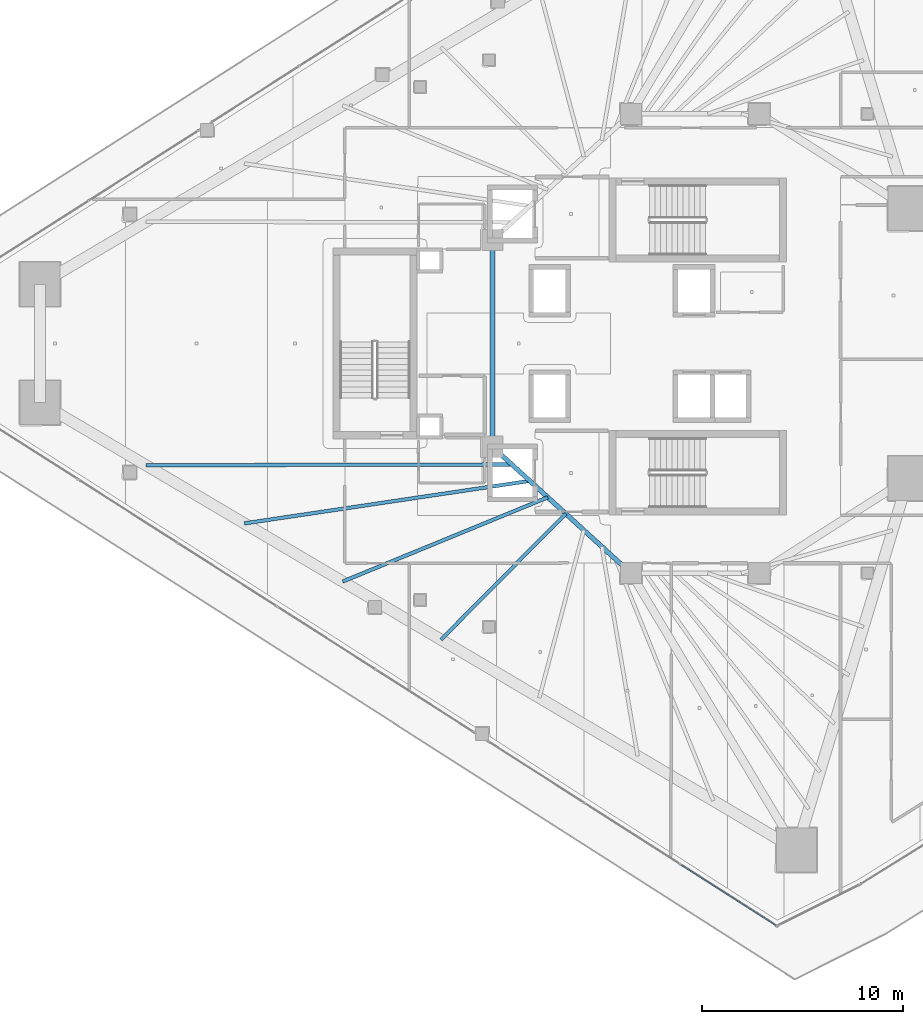
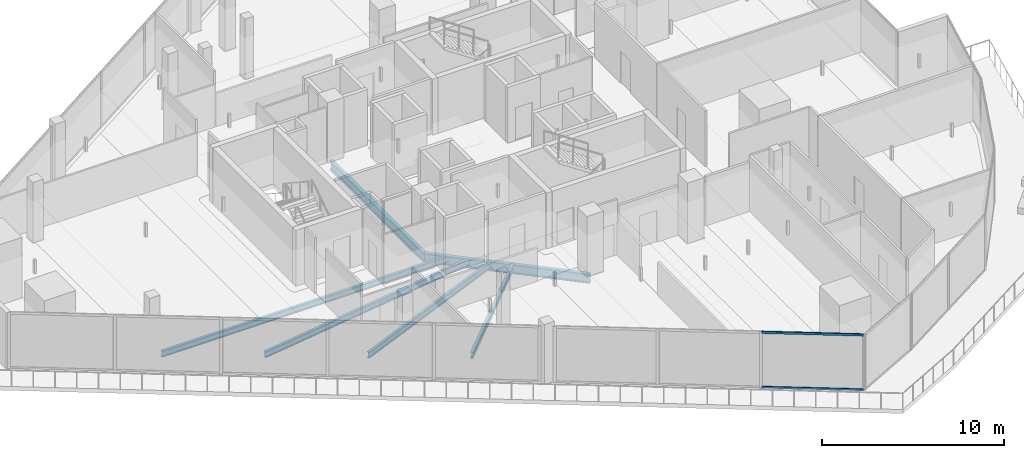
# One storey, part 6 of 36: 6 beams, 2 members, 1 element without a shape of its own.
"""IFC4 building model written with IfcOpenShell, lengths in metres."""

from ifc_helpers import new_model, si_unit, direction, frame, origin, origin_2d, place, context, subcontext, project, spatial, hollow_rectangle, i_section, extrude, material, layer, layer_set, material_profile, profile_set, type_object, element, aggregate, save


model = new_model("IFC4")

# Units and contexts
model_context = context("Model", 3, precision=1e-05, world=origin(), true_north=direction((0.0, 1.0)))
body_context = subcontext(model_context, "Body", "Model", "MODEL_VIEW")
ifc_project = project(units=[si_unit("LENGTHUNIT", "METRE"), si_unit("AREAUNIT", "SQUARE_METRE"), si_unit("VOLUMEUNIT", "CUBIC_METRE"), si_unit("PLANEANGLEUNIT", "RADIAN"), si_unit("MASSUNIT", "GRAM", prefix="KILO")], contexts=[model_context])

# Site, building, storey
site_placement = place(None, origin())
site = spatial("IfcSite", under=ifc_project, at=site_placement, CompositionType="ELEMENT")
building_placement = place(site_placement, origin())
building = spatial("IfcBuilding", under=site, at=building_placement, Name="Qorvath Tower", CompositionType="ELEMENT")
storey_placement = place(building_placement, frame((0.0, 0.0, 170.550048828125)))
storey = spatial("IfcBuildingStorey", under=building, at=storey_placement, Name="L39", CompositionType="ELEMENT", Elevation=170.550048828125)

# Beams
ifc_material_1 = material(Name="Steel ASTM A992 Grade 50", Category="steel")
ifc_material_profile_1 = material_profile(ifc_material_1, i_section(OverallWidth=0.22998046875, OverallDepth=0.616943359375, WebThickness=0.01318359375, FlangeThickness=0.022216796875, FilletRadius=0.014892578125, at=origin_2d()), Name="W24x94")
ifc_profile_set_1 = profile_set([ifc_material_profile_1], Name="Steel ASTM A992 Grade 50")
beam_type_1 = type_object("IfcBeamType", Name="BM-FG6", PredefinedType="BEAM", material=ifc_profile_set_1)
beam_1_placement = place(storey_placement, frame((-23.60009765625, -11.449951171875, -0.57861328125), z_axis=(-0.73847813985, 0.6742774184, 0.0), x_axis=(-0.6742774184, -0.73847813985, 0.0)))
element("IfcBeam", 1, at=beam_1_placement, inside=storey, type_object=beam_type_1, Name="Core Ring Girder CC4-CC6 L39", PredefinedType="BEAM", context=body_context, shape_type="SweptSolid", body=[
    extrude(i_section(OverallWidth=0.22998046875, OverallDepth=0.616943359375, WebThickness=0.01318359375, FlangeThickness=0.022216796875, FilletRadius=0.014892578125, at=origin_2d()), origin(), (0.0, 0.0, 1.0), 9.343505859375),
])
beam_2_placement = place(storey_placement, frame((-30.5, -5.14990234375, -0.57861328125), z_axis=(0.0, 1.0, 0.0), x_axis=(-1.0, 0.0, 0.0)))
element("IfcBeam", 2, at=beam_2_placement, inside=storey, type_object=beam_type_1, Name="Core Ring Girder CC6-CC5 L39", PredefinedType="BEAM", context=body_context, shape_type="SweptSolid", body=[
    extrude(i_section(OverallWidth=0.22998046875, OverallDepth=0.616943359375, WebThickness=0.01318359375, FlangeThickness=0.022216796875, FilletRadius=0.014892578125, at=origin_2d()), origin(), (0.0, 0.0, 1.0), 10.2998046875),
])
ifc_material_2 = material(Name="Steel ASTM A992 Grade 50", Category="steel")
ifc_material_profile_2 = material_profile(ifc_material_2, i_section(OverallWidth=0.177978515625, OverallDepth=0.406005859375, WebThickness=0.0078125, FlangeThickness=0.0126953125, FilletRadius=0.010986328125, at=origin_2d()), Name="W16x40")
ifc_profile_set_2 = profile_set([ifc_material_profile_2], Name="Steel ASTM A992 Grade 50")
beam_type_2 = type_object("IfcBeamType", Name="BM-FJ3", PredefinedType="JOIST", material=ifc_profile_set_2)
beam_3_placement = place(storey_placement, frame((-29.533935546875, -6.031982421875, -0.47314453125), z_axis=(-0.999997589883, -0.002195501951, 0.0), x_axis=(0.002195501951, -0.999997589883, 0.0)))
element("IfcBeam", 3, at=beam_3_placement, inside=storey, type_object=beam_type_2, Name="Composite Floor Joist SW1 L39", PredefinedType="JOIST", context=body_context, shape_type="SweptSolid", body=[
    extrude(i_section(OverallWidth=0.177978515625, OverallDepth=0.406005859375, WebThickness=0.0078125, FlangeThickness=0.0126953125, FilletRadius=0.010986328125, at=origin_2d()), origin(), (0.0, 0.0, 1.0), 18.23681640625),
])
beam_4_placement = place(storey_placement, frame((-28.636962890625, -6.85107421875, -0.47314453125), z_axis=(-0.989092860328, -0.147293291256, 0.0), x_axis=(0.147293291256, -0.989092860328, 0.0)))
element("IfcBeam", 4, at=beam_4_placement, inside=storey, type_object=beam_type_2, Name="Composite Floor Joist SW2 L39", PredefinedType="JOIST", context=body_context, shape_type="SweptSolid", body=[
    extrude(i_section(OverallWidth=0.177978515625, OverallDepth=0.406005859375, WebThickness=0.0078125, FlangeThickness=0.0126953125, FilletRadius=0.010986328125, at=origin_2d()), origin(), (0.0, 0.0, 1.0), 14.388916015625),
])
beam_5_placement = place(storey_placement, frame((-27.739990234375, -7.669921875, -0.47314453125), z_axis=(-0.925068176006, -0.379801092338, 0.0), x_axis=(0.379801092338, -0.925068176006, 0.0)))
element("IfcBeam", 5, at=beam_5_placement, inside=storey, type_object=beam_type_2, Name="Composite Floor Joist SW3 L39", PredefinedType="JOIST", context=body_context, shape_type="SweptSolid", body=[
    extrude(i_section(OverallWidth=0.177978515625, OverallDepth=0.406005859375, WebThickness=0.0078125, FlangeThickness=0.0126953125, FilletRadius=0.010986328125, at=origin_2d()), origin(), (0.0, 0.0, 1.0), 11.0556640625),
])
beam_6_placement = place(storey_placement, frame((-26.843017578125, -8.489013671875, -0.47314453125), z_axis=(-0.70395121362, -0.710248328997, 0.0), x_axis=(0.710248328997, -0.70395121362, 0.0)))
element("IfcBeam", 6, at=beam_6_placement, inside=storey, type_object=beam_type_2, Name="Composite Floor Joist SW4 L39", PredefinedType="JOIST", context=body_context, shape_type="SweptSolid", body=[
    extrude(i_section(OverallWidth=0.177978515625, OverallDepth=0.406005859375, WebThickness=0.0078125, FlangeThickness=0.0126953125, FilletRadius=0.010986328125, at=origin_2d()), origin(), (0.0, 0.0, 1.0), 8.839599609375),
])

# Curtain wall, members
ifc_material_3 = material(Name="Anodised aluminium and triple low-E glass", Category="aluminium")
ifc_layer = layer(ifc_material_3, 0.179931640625)
ifc_layer_set = layer_set([ifc_layer], Name="CW-SYS-3")
curtain_wall_type = type_object("IfcCurtainWallType", Name="CW-SYS-3", PredefinedType="NOTDEFINED", material=ifc_layer_set)
curtain_wall_placement = place(storey_placement, origin())
curtain_wall = element("IfcCurtainWall", 7, at=curtain_wall_placement, inside=storey, type_object=curtain_wall_type, Name="Curtain Wall CW-3 CW-T-L39-2.2", PredefinedType="NOTDEFINED")
ifc_material_4 = material(Name="Anodised aluminium 6063-T6", Category="aluminium")
ifc_material_profile_3 = material_profile(ifc_material_4, hollow_rectangle(XDim=0.06494140625, YDim=0.159912109375, WallThickness=0.00341796875, InnerFilletRadius=0.00341796875, OuterFilletRadius=0.007080078125, at=origin_2d()), Name="CWT 160x65")
ifc_profile_set_3 = profile_set([ifc_material_profile_3], Name="Anodised aluminium 6063-T6")
member_type = type_object("IfcMemberType", Name="CWT-160", PredefinedType="USERDEFINED", material=ifc_profile_set_3)
member_1_placement = place(storey_placement, frame((-21.096435546875, -25.989990234375, 0.032470703125), z_axis=(0.842596345477, -0.538545632783, 0.0), x_axis=(0.538545632783, 0.842596345477, 0.0)))
member_1 = element("IfcMember", 8, at=member_1_placement, type_object=member_type, Name="CW-3 transom 3.1", ObjectType="TRANSOM", PredefinedType="USERDEFINED", context=body_context, shape_type="SweptSolid", body=[
    extrude(hollow_rectangle(XDim=0.06494140625, YDim=0.159912109375, WallThickness=0.00341796875, InnerFilletRadius=0.00341796875, OuterFilletRadius=0.007080078125, at=origin_2d()), origin(), (0.0, 0.0, 1.0), 5.60546875),
])
member_2_placement = place(storey_placement, frame((-21.096435546875, -25.989990234375, 3.717529296875), z_axis=(0.842596345477, -0.538545632783, 0.0), x_axis=(0.538545632783, 0.842596345477, 0.0)))
member_2 = element("IfcMember", 9, at=member_2_placement, type_object=member_type, Name="CW-3 transom 3.2", ObjectType="TRANSOM", PredefinedType="USERDEFINED", context=body_context, shape_type="SweptSolid", body=[
    extrude(hollow_rectangle(XDim=0.06494140625, YDim=0.159912109375, WallThickness=0.00341796875, InnerFilletRadius=0.00341796875, OuterFilletRadius=0.007080078125, at=origin_2d()), origin(), (0.0, 0.0, 1.0), 5.60546875),
])
aggregate(curtain_wall, [member_1, member_2])

save(model, "model.ifc")
